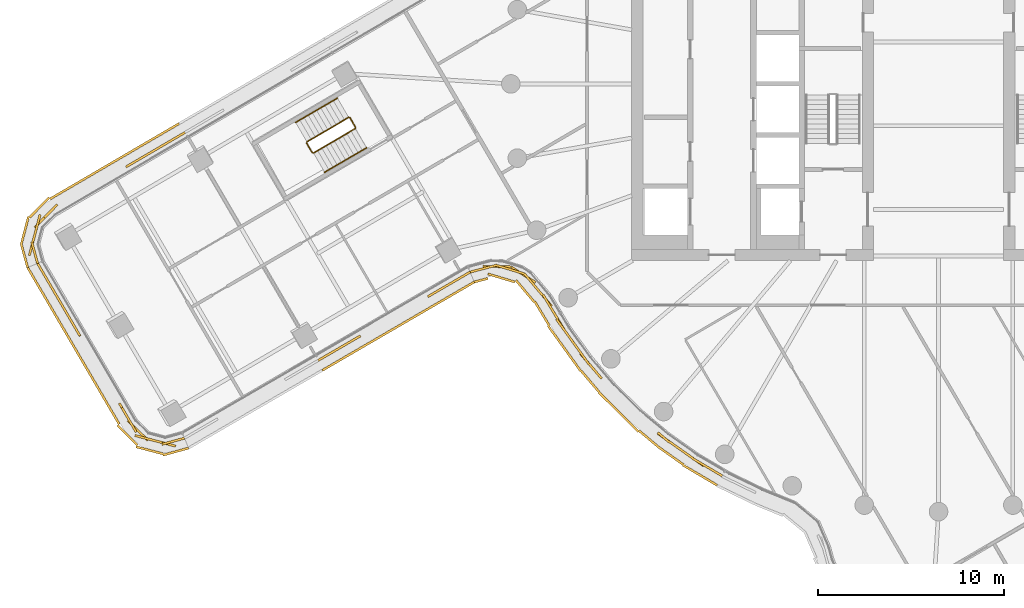
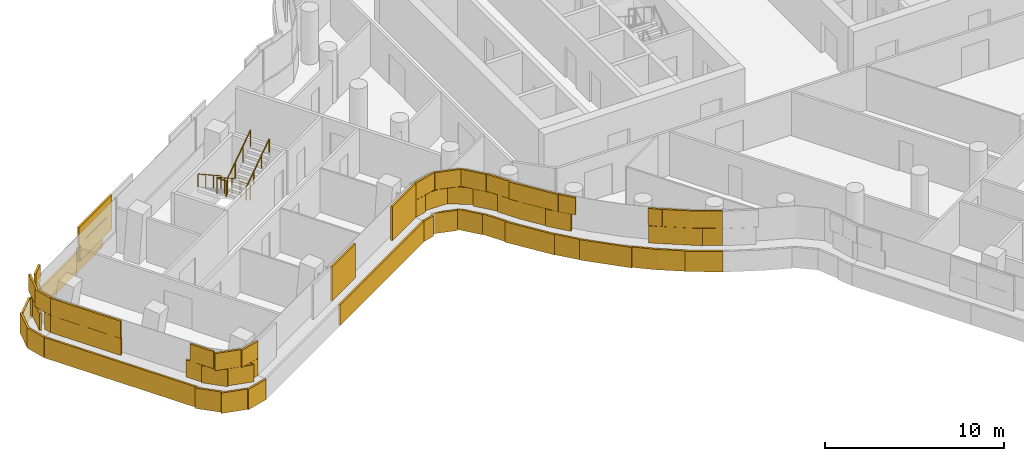
# One storey, part 29 of 35: 6 railings, 4 coverings.
"""IFC4 building model written with IfcOpenShell, lengths in metres."""

from ifc_helpers import new_model, si_unit, direction, frame, origin, origin_2d, place, context, subcontext, project, spatial, rectangle, circle, extrude, material, layer, layer_set, type_object, element, save


model = new_model("IFC4")

# Units and contexts
model_context = context("Model", 3, precision=1e-05, world=origin(), true_north=direction((0.0, 1.0)))
body_context = subcontext(model_context, "Body", "Model", "MODEL_VIEW")
ifc_project = project(units=[si_unit("LENGTHUNIT", "METRE"), si_unit("AREAUNIT", "SQUARE_METRE"), si_unit("VOLUMEUNIT", "CUBIC_METRE"), si_unit("PLANEANGLEUNIT", "RADIAN"), si_unit("MASSUNIT", "GRAM", prefix="KILO")], contexts=[model_context])

# Site, building, storey
site_placement = place(None, origin())
site = spatial("IfcSite", under=ifc_project, at=site_placement, CompositionType="ELEMENT")
building_placement = place(site_placement, origin())
building = spatial("IfcBuilding", under=site, at=building_placement, Name="Tamarind Cross Interchange Tower", CompositionType="ELEMENT")
storey_placement = place(building_placement, frame((0.0, 0.0, 144.25)))
storey = spatial("IfcBuildingStorey", under=building, at=storey_placement, Name="L35", CompositionType="ELEMENT", Elevation=144.25)

# Railings
ifc_material_1 = material(Name="Stair guard")
railing_type_1 = type_object("IfcRailingType", Name="Stair guard", PredefinedType="GUARDRAIL", material=ifc_material_1)
railing_1_placement = place(storey_placement, frame((-31.7197265625, -1.799560546875, 0.17041015625)))
element("IfcRailing", 1, at=railing_1_placement, inside=storey, type_object=railing_type_1, Name="L35 ST5 stair guard 1", PredefinedType="GUARDRAIL", context=body_context, shape_type="SweptSolid", body=[
    extrude(circle(Radius=0.02392578125, at=origin_2d()), frame((0.0, 0.0, 1.076171875), z_axis=(-0.722058741879, -0.421927310507, 0.548277774421), x_axis=(0.504518932267, -0.863400629479, 0.0)), (0.0, 0.0, 1.0), 3.10888671875),
    extrude(circle(Radius=0.02099609375, at=origin_2d()), origin(), (0.0, 0.0, 1.0), 1.052001953125),
    extrude(circle(Radius=0.02099609375, at=origin_2d()), frame((-0.748291015625, -0.437255859375, 0.568115234375)), (0.0, 0.0, 1.0), 1.052001953125),
    extrude(circle(Radius=0.02099609375, at=origin_2d()), frame((-1.49658203125, -0.87451171875, 1.136474609375)), (0.0, 0.0, 1.0), 1.052001953125),
    extrude(circle(Radius=0.02099609375, at=origin_2d()), frame((-2.244873046875, -1.311767578125, 1.70458984375)), (0.0, 0.0, 1.0), 1.052001953125),
])
railing_2_placement = place(storey_placement, frame((-33.982666015625, -3.1796875, 1.875)))
element("IfcRailing", 2, at=railing_2_placement, inside=storey, type_object=railing_type_1, Name="L35 ST5 stair guard 2", PredefinedType="GUARDRAIL", context=body_context, shape_type="SweptSolid", body=[
    extrude(circle(Radius=0.02392578125, at=origin_2d()), frame((0.0, 0.0, 1.076171875), z_axis=(0.504528630285, -0.863394962472, 0.0), x_axis=(0.863394962472, 0.504528630285, 0.0)), (0.0, 0.0, 1.0), 0.60009765625),
    extrude(circle(Radius=0.02099609375, at=origin_2d()), origin(), (0.0, 0.0, 1.0), 1.052001953125),
    extrude(circle(Radius=0.02099609375, at=origin_2d()), frame((0.302734375, -0.51806640625, 0.0)), (0.0, 0.0, 1.0), 1.052001953125),
])
railing_3_placement = place(storey_placement, frame((-33.611572265625, -3.7158203125, 2.04541015625)))
element("IfcRailing", 3, at=railing_3_placement, inside=storey, type_object=railing_type_1, Name="L35 ST5 stair guard 3", PredefinedType="GUARDRAIL", context=body_context, shape_type="SweptSolid", body=[
    extrude(circle(Radius=0.02392578125, at=origin_2d()), frame((0.0, 0.0, 1.076171875), z_axis=(0.722058741879, 0.421927310507, 0.548277774421), x_axis=(-0.504518932267, 0.863400629479, 0.0)), (0.0, 0.0, 1.0), 3.10888671875),
    extrude(circle(Radius=0.02099609375, at=origin_2d()), origin(), (0.0, 0.0, 1.0), 1.052001953125),
    extrude(circle(Radius=0.02099609375, at=origin_2d()), frame((0.748291015625, 0.437255859375, 0.568115234375)), (0.0, 0.0, 1.0), 1.052001953125),
    extrude(circle(Radius=0.02099609375, at=origin_2d()), frame((1.49658203125, 0.87451171875, 1.136474609375)), (0.0, 0.0, 1.0), 1.052001953125),
    extrude(circle(Radius=0.02099609375, at=origin_2d()), frame((2.244873046875, 1.311767578125, 1.70458984375)), (0.0, 0.0, 1.0), 1.052001953125),
])
railing_4_placement = place(storey_placement, frame((-31.6513671875, -1.817626953125, 0.0)))
element("IfcRailing", 4, at=railing_4_placement, inside=storey, type_object=railing_type_1, Name="L35 ST5 stair guard 4", PredefinedType="GUARDRAIL", context=body_context, shape_type="SweptSolid", body=[
    extrude(circle(Radius=0.02392578125, at=origin_2d()), frame((0.0, 0.0, 1.076171875), z_axis=(0.504528630285, -0.863394962472, 0.0), x_axis=(0.863394962472, 0.504528630285, 0.0)), (0.0, 0.0, 1.0), 0.60009765625),
    extrude(circle(Radius=0.02099609375, at=origin_2d()), origin(), (0.0, 0.0, 1.0), 1.052001953125),
    extrude(circle(Radius=0.02099609375, at=origin_2d()), frame((0.302734375, -0.51806640625, 0.0)), (0.0, 0.0, 1.0), 1.052001953125),
])
ifc_material_2 = material(Name="Stair handrail")
railing_type_2 = type_object("IfcRailingType", Name="Stair handrail", PredefinedType="HANDRAIL", material=ifc_material_2)
railing_5_placement = place(storey_placement, frame((-32.3251953125, -0.763427734375, 0.17041015625)))
element("IfcRailing", 5, at=railing_5_placement, inside=storey, type_object=railing_type_2, Name="L35 ST5 stair handrail 1", PredefinedType="HANDRAIL", context=body_context, shape_type="SweptSolid", body=[
    extrude(circle(Radius=0.02392578125, at=origin_2d()), frame((0.0, 0.0, 0.8759765625), z_axis=(-0.722058741879, -0.421927310507, 0.548277774421), x_axis=(0.504518932267, -0.863400629479, 0.0)), (0.0, 0.0, 1.0), 3.10888671875),
    extrude(circle(Radius=0.02099609375, at=origin_2d()), origin(), (0.0, 0.0, 1.0), 0.851806640625),
    extrude(circle(Radius=0.02099609375, at=origin_2d()), frame((-0.748291015625, -0.437255859375, 0.568115234375)), (0.0, 0.0, 1.0), 0.851806640625),
    extrude(circle(Radius=0.02099609375, at=origin_2d()), frame((-1.49658203125, -0.87451171875, 1.136474609375)), (0.0, 0.0, 1.0), 0.851806640625),
    extrude(circle(Radius=0.02099609375, at=origin_2d()), frame((-2.244873046875, -1.311767578125, 1.70458984375)), (0.0, 0.0, 1.0), 0.851806640625),
])
railing_6_placement = place(storey_placement, frame((-33.006103515625, -4.751708984375, 2.04541015625)))
element("IfcRailing", 6, at=railing_6_placement, inside=storey, type_object=railing_type_2, Name="L35 ST5 stair handrail 2", PredefinedType="HANDRAIL", context=body_context, shape_type="SweptSolid", body=[
    extrude(circle(Radius=0.02392578125, at=origin_2d()), frame((0.0, 0.0, 0.8759765625), z_axis=(0.722058741879, 0.421927310507, 0.548277774421), x_axis=(-0.504518932267, 0.863400629479, 0.0)), (0.0, 0.0, 1.0), 3.10888671875),
    extrude(circle(Radius=0.02099609375, at=origin_2d()), origin(), (0.0, 0.0, 1.0), 0.851806640625),
    extrude(circle(Radius=0.02099609375, at=origin_2d()), frame((0.748291015625, 0.437255859375, 0.568115234375)), (0.0, 0.0, 1.0), 0.851806640625),
    extrude(circle(Radius=0.02099609375, at=origin_2d()), frame((1.49658203125, 0.87451171875, 1.136474609375)), (0.0, 0.0, 1.0), 0.851806640625),
    extrude(circle(Radius=0.02099609375, at=origin_2d()), frame((2.244873046875, 1.311767578125, 1.70458984375)), (0.0, 0.0, 1.0), 0.851806640625),
])

# Coverings
ifc_material_3 = material(Name="Terracotta", Category="masonry")
ifc_layer = layer(ifc_material_3, 0.1201171875)
ifc_layer_set = layer_set([ifc_layer], Name="Terracotta")
covering_type = type_object("IfcCoveringType", Name="Terracotta baguette screen unit", PredefinedType="MOLDING", material=ifc_layer_set)
covering_1_placement = place(storey_placement, origin())
element("IfcCovering", 7, at=covering_1_placement, inside=storey, type_object=covering_type, Name="SCR-L35-00-00", PredefinedType="MOLDING", context=body_context, shape_type="SweptSolid", body=[
    extrude(rectangle(XDim=0.760009765625, YDim=0.1201171875, at=origin_2d()), frame((-48.25927734375, -9.973876953125, 1.404052734375), z_axis=(0.0, 0.0, 1.0), x_axis=(0.50451556849, -0.863402595057, 0.0)), (0.0, 0.0, 1.0), 1.1669921875),
    extrude(rectangle(XDim=1.52001953125, YDim=0.1201171875, at=origin_2d()), frame((-47.691650390625, -10.945068359375, 1.404052734375), z_axis=(0.0, 0.0, 1.0), x_axis=(0.50451556849, -0.863402595057, 0.0)), (0.0, 0.0, 1.0), 1.1669921875),
    extrude(rectangle(XDim=1.52001953125, YDim=0.1201171875, at=origin_2d()), frame((-46.93505859375, -12.240234375, 1.404052734375), z_axis=(0.0, 0.0, 1.0), x_axis=(0.50451556849, -0.863402595057, 0.0)), (0.0, 0.0, 1.0), 1.1669921875),
    extrude(rectangle(XDim=0.784912109375, YDim=0.1201171875, at=origin_2d()), frame((-46.361083984375, -13.22216796875, 1.404052734375), z_axis=(0.0, 0.0, 1.0), x_axis=(0.50451556849, -0.863402595057, 0.0)), (0.0, 0.0, 1.0), 1.1669921875),
    extrude(rectangle(XDim=1.03515625, YDim=0.1201171875, at=origin_2d()), frame((-43.7880859375, -17.62548828125, 1.404052734375), z_axis=(0.0, 0.0, 1.0), x_axis=(0.50451556849, -0.863402595057, 0.0)), (0.0, 0.0, 1.0), 1.1669921875),
    extrude(rectangle(XDim=1.52001953125, YDim=0.1201171875, at=origin_2d()), frame((-43.052978515625, -18.6396484375, 1.404052734375), z_axis=(0.0, 0.0, 1.0), x_axis=(0.710789652561, -0.703404627375, 0.0)), (0.0, 0.0, 1.0), 1.1669921875),
    extrude(rectangle(XDim=1.52001953125, YDim=0.1201171875, at=origin_2d()), frame((-41.754638671875, -19.28759765625, 1.404052734375), z_axis=(0.0, 0.0, 1.0), x_axis=(0.967264209552, -0.253771450166, 0.0)), (0.0, 0.0, 1.0), 1.1669921875),
    extrude(rectangle(XDim=0.509521484375, YDim=0.1201171875, at=origin_2d()), frame((-40.789794921875, -19.1162109375, 1.404052734375), z_axis=(0.0, 0.0, 1.0), x_axis=(0.964561102727, 0.263859582177, 0.0)), (0.0, 0.0, 1.0), 1.1669921875),
    extrude(rectangle(XDim=1.510009765625, YDim=0.1201171875, at=origin_2d()), frame((-48.070068359375, -10.297607421875, 2.5791015625), z_axis=(0.0, 0.0, 1.0), x_axis=(0.50451556849, -0.863402595057, 0.0)), (0.0, 0.0, 1.0), 1.1669921875),
    extrude(rectangle(XDim=1.52001953125, YDim=0.1201171875, at=origin_2d()), frame((-47.3134765625, -11.5927734375, 2.5791015625), z_axis=(0.0, 0.0, 1.0), x_axis=(0.50451556849, -0.863402595057, 0.0)), (0.0, 0.0, 1.0), 1.1669921875),
    extrude(rectangle(XDim=1.52001953125, YDim=0.1201171875, at=origin_2d()), frame((-46.556640625, -12.8876953125, 2.5791015625), z_axis=(0.0, 0.0, 1.0), x_axis=(0.50451556849, -0.863402595057, 0.0)), (0.0, 0.0, 1.0), 1.1669921875),
    extrude(rectangle(XDim=1.52001953125, YDim=0.1201171875, at=origin_2d()), frame((-43.529541015625, -18.068115234375, 2.5791015625), z_axis=(0.0, 0.0, 1.0), x_axis=(0.50451556849, -0.863402595057, 0.0)), (0.0, 0.0, 1.0), 1.1669921875),
    extrude(rectangle(XDim=1.52001953125, YDim=0.1201171875, at=origin_2d()), frame((-42.47998046875, -19.097412109375, 2.5791015625), z_axis=(0.0, 0.0, 1.0), x_axis=(0.967264209552, -0.253771450166, 0.0)), (0.0, 0.0, 1.0), 1.1669921875),
    extrude(rectangle(XDim=1.259521484375, YDim=0.1201171875, at=origin_2d()), frame((-41.1513671875, -19.215087890625, 2.5791015625), z_axis=(0.0, 0.0, 1.0), x_axis=(0.964561102727, 0.263859582177, 0.0)), (0.0, 0.0, 1.0), 1.1669921875),
    extrude(rectangle(XDim=0.760009765625, YDim=0.1201171875, at=origin_2d()), frame((-48.79052734375, -10.202392578125, 0.00390625), z_axis=(0.0, 0.0, 1.0), x_axis=(0.50451556849, -0.863402595057, 0.0)), (0.0, 0.0, 1.0), 1.39208984375),
    extrude(rectangle(XDim=1.52001953125, YDim=0.1201171875, at=origin_2d()), frame((-48.2255859375, -11.16943359375, 0.00390625), z_axis=(0.0, 0.0, 1.0), x_axis=(0.50451556849, -0.863402595057, 0.0)), (0.0, 0.0, 1.0), 1.39208984375),
    extrude(rectangle(XDim=1.52001953125, YDim=0.1201171875, at=origin_2d()), frame((-47.46875, -12.464599609375, 0.00390625), z_axis=(0.0, 0.0, 1.0), x_axis=(0.50451556849, -0.863402595057, 0.0)), (0.0, 0.0, 1.0), 1.39208984375),
    extrude(rectangle(XDim=1.52001953125, YDim=0.1201171875, at=origin_2d()), frame((-46.7119140625, -13.759765625, 0.00390625), z_axis=(0.0, 0.0, 1.0), x_axis=(0.50451556849, -0.863402595057, 0.0)), (0.0, 0.0, 1.0), 1.39208984375),
    extrude(rectangle(XDim=1.52001953125, YDim=0.1201171875, at=origin_2d()), frame((-45.955078125, -15.0546875, 0.00390625), z_axis=(0.0, 0.0, 1.0), x_axis=(0.50451556849, -0.863402595057, 0.0)), (0.0, 0.0, 1.0), 1.39208984375),
    extrude(rectangle(XDim=1.52001953125, YDim=0.1201171875, at=origin_2d()), frame((-45.198486328125, -16.349853515625, 0.00390625), z_axis=(0.0, 0.0, 1.0), x_axis=(0.50451556849, -0.863402595057, 0.0)), (0.0, 0.0, 1.0), 1.39208984375),
    extrude(rectangle(XDim=1.52001953125, YDim=0.1201171875, at=origin_2d()), frame((-44.441650390625, -17.64501953125, 0.00390625), z_axis=(0.0, 0.0, 1.0), x_axis=(0.50451556849, -0.863402595057, 0.0)), (0.0, 0.0, 1.0), 1.39208984375),
    extrude(rectangle(XDim=1.52001953125, YDim=0.1201171875, at=origin_2d()), frame((-43.61767578125, -18.887939453125, 0.00390625), z_axis=(0.0, 0.0, 1.0), x_axis=(0.710789652561, -0.703404627375, 0.0)), (0.0, 0.0, 1.0), 1.39208984375),
    extrude(rectangle(XDim=1.52001953125, YDim=0.1201171875, at=origin_2d()), frame((-42.4169921875, -19.707275390625, 0.00390625), z_axis=(0.0, 0.0, 1.0), x_axis=(0.967264209552, -0.253771450166, 0.0)), (0.0, 0.0, 1.0), 1.39208984375),
    extrude(rectangle(XDim=1.426513671875, YDim=0.1201171875, at=origin_2d()), frame((-41.012939453125, -19.7724609375, 0.00390625), z_axis=(0.0, 0.0, 1.0), x_axis=(0.964561102727, 0.263859582177, 0.0)), (0.0, 0.0, 1.0), 1.39208984375),
])
covering_2_placement = place(storey_placement, origin())
element("IfcCovering", 8, at=covering_2_placement, inside=storey, type_object=covering_type, Name="SCR-L35-01-01", PredefinedType="MOLDING", context=body_context, shape_type="SweptSolid", body=[
    extrude(rectangle(XDim=1.446044921875, YDim=0.1201171875, at=origin_2d()), frame((-32.740966796875, -14.509765625, 1.404052734375), z_axis=(0.0, 0.0, 1.0), x_axis=(0.864456031525, 0.502708433946, 0.0)), (0.0, 0.0, 1.0), 1.1669921875),
    extrude(rectangle(XDim=1.201416015625, YDim=0.1201171875, at=origin_2d()), frame((-31.60546875, -13.849365234375, 1.404052734375), z_axis=(0.0, 0.0, 1.0), x_axis=(0.864456031525, 0.502708433946, 0.0)), (0.0, 0.0, 1.0), 1.1669921875),
    extrude(rectangle(XDim=0.61865234375, YDim=0.1201171875, at=origin_2d()), frame((-27.19677734375, -11.28564453125, 1.404052734375), z_axis=(0.0, 0.0, 1.0), x_axis=(0.864456031525, 0.502708433946, 0.0)), (0.0, 0.0, 1.0), 1.1669921875),
    extrude(rectangle(XDim=1.52001953125, YDim=0.1201171875, at=origin_2d()), frame((-26.28515625, -10.755615234375, 1.404052734375), z_axis=(0.0, 0.0, 1.0), x_axis=(0.864456031525, 0.502708433946, 0.0)), (0.0, 0.0, 1.0), 1.1669921875),
    extrude(rectangle(XDim=0.528564453125, YDim=0.1201171875, at=origin_2d()), frame((-25.41259765625, -10.248291015625, 1.404052734375), z_axis=(0.0, 0.0, 1.0), x_axis=(0.864456031525, 0.502708433946, 0.0)), (0.0, 0.0, 1.0), 1.1669921875),
    extrude(rectangle(XDim=0.696044921875, YDim=0.1201171875, at=origin_2d()), frame((-33.065185546875, -14.698486328125, 2.5791015625), z_axis=(0.0, 0.0, 1.0), x_axis=(0.864456031525, 0.502708433946, 0.0)), (0.0, 0.0, 1.0), 1.1669921875),
    extrude(rectangle(XDim=1.52001953125, YDim=0.1201171875, at=origin_2d()), frame((-32.120361328125, -14.14892578125, 2.5791015625), z_axis=(0.0, 0.0, 1.0), x_axis=(0.864456031525, 0.502708433946, 0.0)), (0.0, 0.0, 1.0), 1.1669921875),
    extrude(rectangle(XDim=0.451416015625, YDim=0.1201171875, at=origin_2d()), frame((-31.28125, -13.660888671875, 2.5791015625), z_axis=(0.0, 0.0, 1.0), x_axis=(0.864456031525, 0.502708433946, 0.0)), (0.0, 0.0, 1.0), 1.1669921875),
    extrude(rectangle(XDim=1.36865234375, YDim=0.1201171875, at=origin_2d()), frame((-26.87255859375, -11.09716796875, 2.5791015625), z_axis=(0.0, 0.0, 1.0), x_axis=(0.864456031525, 0.502708433946, 0.0)), (0.0, 0.0, 1.0), 1.1669921875),
    extrude(rectangle(XDim=1.278564453125, YDim=0.1201171875, at=origin_2d()), frame((-25.73681640625, -10.436767578125, 2.5791015625), z_axis=(0.0, 0.0, 1.0), x_axis=(0.864456031525, 0.502708433946, 0.0)), (0.0, 0.0, 1.0), 1.1669921875),
    extrude(rectangle(XDim=1.44775390625, YDim=0.1201171875, at=origin_2d()), frame((-32.513671875, -15.041748046875, 0.00390625), z_axis=(0.0, 0.0, 1.0), x_axis=(0.864456031525, 0.502708433946, 0.0)), (0.0, 0.0, 1.0), 1.39208984375),
    extrude(rectangle(XDim=1.52001953125, YDim=0.1201171875, at=origin_2d()), frame((-31.248291015625, -14.3056640625, 0.00390625), z_axis=(0.0, 0.0, 1.0), x_axis=(0.864456031525, 0.502708433946, 0.0)), (0.0, 0.0, 1.0), 1.39208984375),
    extrude(rectangle(XDim=1.52001953125, YDim=0.1201171875, at=origin_2d()), frame((-29.951416015625, -13.5517578125, 0.00390625), z_axis=(0.0, 0.0, 1.0), x_axis=(0.864456031525, 0.502708433946, 0.0)), (0.0, 0.0, 1.0), 1.39208984375),
    extrude(rectangle(XDim=1.52001953125, YDim=0.1201171875, at=origin_2d()), frame((-28.65478515625, -12.797607421875, 0.00390625), z_axis=(0.0, 0.0, 1.0), x_axis=(0.864456031525, 0.502708433946, 0.0)), (0.0, 0.0, 1.0), 1.39208984375),
    extrude(rectangle(XDim=1.52001953125, YDim=0.1201171875, at=origin_2d()), frame((-27.358154296875, -12.043701171875, 0.00390625), z_axis=(0.0, 0.0, 1.0), x_axis=(0.864456031525, 0.502708433946, 0.0)), (0.0, 0.0, 1.0), 1.39208984375),
    extrude(rectangle(XDim=1.52001953125, YDim=0.1201171875, at=origin_2d()), frame((-26.0615234375, -11.28955078125, 0.00390625), z_axis=(0.0, 0.0, 1.0), x_axis=(0.864456031525, 0.502708433946, 0.0)), (0.0, 0.0, 1.0), 1.39208984375),
    extrude(rectangle(XDim=0.525146484375, YDim=0.1201171875, at=origin_2d()), frame((-25.19482421875, -10.78564453125, 0.00390625), z_axis=(0.0, 0.0, 1.0), x_axis=(0.864456031525, 0.502708433946, 0.0)), (0.0, 0.0, 1.0), 1.39208984375),
])
covering_3_placement = place(storey_placement, origin())
element("IfcCovering", 9, at=covering_3_placement, inside=storey, type_object=covering_type, Name="SCR-L35-02-00", PredefinedType="MOLDING", context=body_context, shape_type="SweptSolid", body=[
    extrude(rectangle(XDim=0.760009765625, YDim=0.1201171875, at=origin_2d()), frame((-24.82568359375, -10.0234375, 1.404052734375), z_axis=(0.0, 0.0, 1.0), x_axis=(0.967746825064, 0.251924755788, 0.0)), (0.0, 0.0, 1.0), 1.1669921875),
    extrude(rectangle(XDim=1.52001953125, YDim=0.1201171875, at=origin_2d()), frame((-23.726806640625, -9.8251953125, 1.404052734375), z_axis=(0.0, 0.0, 1.0), x_axis=(0.999810202452, -0.019482275841, 0.0)), (0.0, 0.0, 1.0), 1.1669921875),
    extrude(rectangle(XDim=1.52001953125, YDim=0.1201171875, at=origin_2d()), frame((-22.3125, -10.271728515625, 1.404052734375), z_axis=(0.0, 0.0, 1.0), x_axis=(0.843092678622, -0.537768291418, 0.0)), (0.0, 0.0, 1.0), 1.1669921875),
    extrude(rectangle(XDim=1.52001953125, YDim=0.1201171875, at=origin_2d()), frame((-21.298583984375, -11.3642578125, 1.404052734375), z_axis=(0.0, 0.0, 1.0), x_axis=(0.643207721131, -0.765691731363, 0.0)), (0.0, 0.0, 1.0), 1.1669921875),
    extrude(rectangle(XDim=1.52001953125, YDim=0.1201171875, at=origin_2d()), frame((-20.489990234375, -12.624267578125, 1.404052734375), z_axis=(0.0, 0.0, 1.0), x_axis=(0.515602205046, -0.856828084362, 0.0)), (0.0, 0.0, 1.0), 1.1669921875),
    extrude(rectangle(XDim=1.52001953125, YDim=0.1201171875, at=origin_2d()), frame((-19.664306640625, -13.875, 1.404052734375), z_axis=(0.0, 0.0, 1.0), x_axis=(0.584573890505, -0.811340475102, 0.0)), (0.0, 0.0, 1.0), 1.1669921875),
    extrude(rectangle(XDim=1.52001953125, YDim=0.1201171875, at=origin_2d()), frame((-18.77001953125, -15.078369140625, 1.404052734375), z_axis=(0.0, 0.0, 1.0), x_axis=(0.64957723968, -0.760295606781, 0.0)), (0.0, 0.0, 1.0), 1.1669921875),
    extrude(rectangle(XDim=1.52001953125, YDim=0.1201171875, at=origin_2d()), frame((-14.471435546875, -19.240966796875, 1.404052734375), z_axis=(0.0, 0.0, 1.0), x_axis=(0.816341886298, -0.577568978284, 0.0)), (0.0, 0.0, 1.0), 1.1669921875),
    extrude(rectangle(XDim=1.52001953125, YDim=0.1201171875, at=origin_2d()), frame((-13.246826171875, -20.107421875, 1.404052734375), z_axis=(0.0, 0.0, 1.0), x_axis=(0.816341886298, -0.577568978284, 0.0)), (0.0, 0.0, 1.0), 1.1669921875),
    extrude(rectangle(XDim=1.143310546875, YDim=0.1201171875, at=origin_2d()), frame((-12.121826171875, -20.7900390625, 1.404052734375), z_axis=(0.0, 0.0, 1.0), x_axis=(0.861248933065, -0.508183308752, 0.0)), (0.0, 0.0, 1.0), 1.1669921875),
    extrude(rectangle(XDim=1.510009765625, YDim=0.1201171875, at=origin_2d()), frame((-24.462646484375, -9.928955078125, 2.5791015625), z_axis=(0.0, 0.0, 1.0), x_axis=(0.967746825064, 0.251924755788, 0.0)), (0.0, 0.0, 1.0), 1.1669921875),
    extrude(rectangle(XDim=1.52001953125, YDim=0.1201171875, at=origin_2d()), frame((-23.000732421875, -9.990234375, 2.5791015625), z_axis=(0.0, 0.0, 1.0), x_axis=(0.957197918797, -0.28943417948, 0.0)), (0.0, 0.0, 1.0), 1.1669921875),
    extrude(rectangle(XDim=1.52001953125, YDim=0.1201171875, at=origin_2d()), frame((-21.781005859375, -10.7900390625, 2.5791015625), z_axis=(0.0, 0.0, 1.0), x_axis=(0.643207721131, -0.765691731363, 0.0)), (0.0, 0.0, 1.0), 1.1669921875),
    extrude(rectangle(XDim=1.52001953125, YDim=0.1201171875, at=origin_2d()), frame((-20.876708984375, -11.981689453125, 2.5791015625), z_axis=(0.0, 0.0, 1.0), x_axis=(0.515602205046, -0.856828084362, 0.0)), (0.0, 0.0, 1.0), 1.1669921875),
    extrude(rectangle(XDim=1.52001953125, YDim=0.1201171875, at=origin_2d()), frame((-20.102783203125, -13.2666015625, 2.5791015625), z_axis=(0.0, 0.0, 1.0), x_axis=(0.584573890505, -0.811340475102, 0.0)), (0.0, 0.0, 1.0), 1.1669921875),
    extrude(rectangle(XDim=1.52001953125, YDim=0.1201171875, at=origin_2d()), frame((-19.225830078125, -14.483642578125, 2.5791015625), z_axis=(0.0, 0.0, 1.0), x_axis=(0.584573890505, -0.811340475102, 0.0)), (0.0, 0.0, 1.0), 1.1669921875),
    extrude(rectangle(XDim=1.01708984375, YDim=0.1201171875, at=origin_2d()), frame((-18.443115234375, -15.46142578125, 2.5791015625), z_axis=(0.0, 0.0, 1.0), x_axis=(0.64957723968, -0.760295606781, 0.0)), (0.0, 0.0, 1.0), 1.1669921875),
    extrude(rectangle(XDim=0.802978515625, YDim=0.1201171875, at=origin_2d()), frame((-14.7900390625, -19.00537109375, 2.5791015625), z_axis=(0.0, 0.0, 1.0), x_axis=(0.765858396687, -0.643009266048, 0.0)), (0.0, 0.0, 1.0), 1.1669921875),
    extrude(rectangle(XDim=1.52001953125, YDim=0.1201171875, at=origin_2d()), frame((-13.859130859375, -19.674072265625, 2.5791015625), z_axis=(0.0, 0.0, 1.0), x_axis=(0.816341886298, -0.577568978284, 0.0)), (0.0, 0.0, 1.0), 1.1669921875),
    extrude(rectangle(XDim=1.52001953125, YDim=0.1201171875, at=origin_2d()), frame((-12.60986328125, -20.501953125, 2.5791015625), z_axis=(0.0, 0.0, 1.0), x_axis=(0.861248933065, -0.508183308752, 0.0)), (0.0, 0.0, 1.0), 1.1669921875),
    extrude(rectangle(XDim=0.393310546875, YDim=0.1201171875, at=origin_2d()), frame((-11.798828125, -20.980712890625, 2.5791015625), z_axis=(0.0, 0.0, 1.0), x_axis=(0.861248933065, -0.508183308752, 0.0)), (0.0, 0.0, 1.0), 1.1669921875),
    extrude(rectangle(XDim=0.760009765625, YDim=0.1201171875, at=origin_2d()), frame((-24.60009765625, -10.557861328125, 0.00390625), z_axis=(0.0, 0.0, 1.0), x_axis=(0.967746825064, 0.251924755788, 0.0)), (0.0, 0.0, 1.0), 1.39208984375),
    extrude(rectangle(XDim=1.52001953125, YDim=0.1201171875, at=origin_2d()), frame((-23.50634765625, -10.436767578125, 0.00390625), z_axis=(0.0, 0.0, 1.0), x_axis=(0.957197918797, -0.28943417948, 0.0)), (0.0, 0.0, 1.0), 1.39208984375),
    extrude(rectangle(XDim=1.52001953125, YDim=0.1201171875, at=origin_2d()), frame((-22.233642578125, -11.1435546875, 0.00390625), z_axis=(0.0, 0.0, 1.0), x_axis=(0.643207721131, -0.765691731363, 0.0)), (0.0, 0.0, 1.0), 1.39208984375),
    extrude(rectangle(XDim=1.52001953125, YDim=0.1201171875, at=origin_2d()), frame((-21.33251953125, -12.337646484375, 0.00390625), z_axis=(0.0, 0.0, 1.0), x_axis=(0.515602205046, -0.856828084362, 0.0)), (0.0, 0.0, 1.0), 1.39208984375),
    extrude(rectangle(XDim=1.52001953125, YDim=0.1201171875, at=origin_2d()), frame((-20.55517578125, -13.620361328125, 0.00390625), z_axis=(0.0, 0.0, 1.0), x_axis=(0.584573890505, -0.811340475102, 0.0)), (0.0, 0.0, 1.0), 1.39208984375),
    extrude(rectangle(XDim=1.52001953125, YDim=0.1201171875, at=origin_2d()), frame((-19.678466796875, -14.83740234375, 0.00390625), z_axis=(0.0, 0.0, 1.0), x_axis=(0.584573890505, -0.811340475102, 0.0)), (0.0, 0.0, 1.0), 1.39208984375),
    extrude(rectangle(XDim=1.52001953125, YDim=0.1201171875, at=origin_2d()), frame((-18.735595703125, -16.00244140625, 0.00390625), z_axis=(0.0, 0.0, 1.0), x_axis=(0.64957723968, -0.760295606781, 0.0)), (0.0, 0.0, 1.0), 1.39208984375),
    extrude(rectangle(XDim=1.52001953125, YDim=0.1201171875, at=origin_2d()), frame((-17.732177734375, -17.1162109375, 0.00390625), z_axis=(0.0, 0.0, 1.0), x_axis=(0.710143317658, -0.704057148523, 0.0)), (0.0, 0.0, 1.0), 1.39208984375),
    extrude(rectangle(XDim=1.52001953125, YDim=0.1201171875, at=origin_2d()), frame((-16.6669921875, -18.172119140625, 0.00390625), z_axis=(0.0, 0.0, 1.0), x_axis=(0.710143317658, -0.704057148523, 0.0)), (0.0, 0.0, 1.0), 1.39208984375),
    extrude(rectangle(XDim=1.52001953125, YDim=0.1201171875, at=origin_2d()), frame((-15.521728515625, -19.140380859375, 0.00390625), z_axis=(0.0, 0.0, 1.0), x_axis=(0.765858396687, -0.643009266048, 0.0)), (0.0, 0.0, 1.0), 1.39208984375),
    extrude(rectangle(XDim=1.52001953125, YDim=0.1201171875, at=origin_2d()), frame((-14.327392578125, -20.0458984375, 0.00390625), z_axis=(0.0, 0.0, 1.0), x_axis=(0.816341886298, -0.577568978284, 0.0)), (0.0, 0.0, 1.0), 1.39208984375),
    extrude(rectangle(XDim=1.52001953125, YDim=0.1201171875, at=origin_2d()), frame((-13.086669921875, -20.88720703125, 0.00390625), z_axis=(0.0, 0.0, 1.0), x_axis=(0.861248933065, -0.508183308752, 0.0)), (0.0, 0.0, 1.0), 1.39208984375),
    extrude(rectangle(XDim=0.624755859375, YDim=0.1201171875, at=origin_2d()), frame((-12.18017578125, -21.422119140625, 0.00390625), z_axis=(0.0, 0.0, 1.0), x_axis=(0.861248933065, -0.508183308752, 0.0)), (0.0, 0.0, 1.0), 1.39208984375),
])
covering_4_placement = place(storey_placement, origin())
element("IfcCovering", 10, at=covering_4_placement, inside=storey, type_object=covering_type, Name="SCR-L35-15-02", PredefinedType="MOLDING", context=body_context, shape_type="SweptSolid", body=[
    extrude(rectangle(XDim=0.6064453125, YDim=0.1201171875, at=origin_2d()), frame((-40.776611328125, -2.760009765625, 1.404052734375), z_axis=(0.0, 0.0, 1.0), x_axis=(-0.863402595057, -0.50451556849, 0.0)), (0.0, 0.0, 1.0), 1.1669921875),
    extrude(rectangle(XDim=1.52001953125, YDim=0.1201171875, at=origin_2d()), frame((-41.681396484375, -3.288818359375, 1.404052734375), z_axis=(0.0, 0.0, 1.0), x_axis=(-0.863402595057, -0.50451556849, 0.0)), (0.0, 0.0, 1.0), 1.1669921875),
    extrude(rectangle(XDim=1.52001953125, YDim=0.1201171875, at=origin_2d()), frame((-42.9765625, -4.045654296875, 1.404052734375), z_axis=(0.0, 0.0, 1.0), x_axis=(-0.863402595057, -0.50451556849, 0.0)), (0.0, 0.0, 1.0), 1.1669921875),
    extrude(rectangle(XDim=1.52001953125, YDim=0.1201171875, at=origin_2d()), frame((-48.07275390625, -7.181396484375, 1.404052734375), z_axis=(0.0, 0.0, 1.0), x_axis=(-0.703404627375, -0.710789652561, 0.0)), (0.0, 0.0, 1.0), 1.1669921875),
    extrude(rectangle(XDim=1.52001953125, YDim=0.1201171875, at=origin_2d()), frame((-48.698486328125, -8.492431640625, 1.404052734375), z_axis=(0.0, 0.0, 1.0), x_axis=(-0.253771450166, -0.967264209552, 0.0)), (0.0, 0.0, 1.0), 1.1669921875),
    extrude(rectangle(XDim=0.459716796875, YDim=0.1201171875, at=origin_2d()), frame((-48.5078125, -9.43310546875, 1.404052734375), z_axis=(0.0, 0.0, 1.0), x_axis=(0.263859582177, -0.964561102727, 0.0)), (0.0, 0.0, 1.0), 1.1669921875),
    extrude(rectangle(XDim=1.3564453125, YDim=0.1201171875, at=origin_2d()), frame((-41.100341796875, -2.94921875, 2.5791015625), z_axis=(0.0, 0.0, 1.0), x_axis=(-0.863402595057, -0.50451556849, 0.0)), (0.0, 0.0, 1.0), 1.1669921875),
    extrude(rectangle(XDim=1.52001953125, YDim=0.1201171875, at=origin_2d()), frame((-42.3291015625, -3.667236328125, 2.5791015625), z_axis=(0.0, 0.0, 1.0), x_axis=(-0.863402595057, -0.50451556849, 0.0)), (0.0, 0.0, 1.0), 1.1669921875),
    extrude(rectangle(XDim=0.836669921875, YDim=0.1201171875, at=origin_2d()), frame((-43.33349609375, -4.254150390625, 2.5791015625), z_axis=(0.0, 0.0, 1.0), x_axis=(-0.863402595057, -0.50451556849, 0.0)), (0.0, 0.0, 1.0), 1.1669921875),
    extrude(rectangle(XDim=0.9833984375, YDim=0.1201171875, at=origin_2d()), frame((-47.73046875, -6.83544921875, 2.5791015625), z_axis=(0.0, 0.0, 1.0), x_axis=(-0.703404627375, -0.710789652561, 0.0)), (0.0, 0.0, 1.0), 1.1669921875),
    extrude(rectangle(XDim=1.52001953125, YDim=0.1201171875, at=origin_2d()), frame((-48.50830078125, -7.766845703125, 2.5791015625), z_axis=(0.0, 0.0, 1.0), x_axis=(-0.253771450166, -0.967264209552, 0.0)), (0.0, 0.0, 1.0), 1.1669921875),
    extrude(rectangle(XDim=1.209716796875, YDim=0.1201171875, at=origin_2d()), frame((-48.606689453125, -9.0712890625, 2.5791015625), z_axis=(0.0, 0.0, 1.0), x_axis=(0.263859582177, -0.964561102727, 0.0)), (0.0, 0.0, 1.0), 1.1669921875),
    extrude(rectangle(XDim=0.531005859375, YDim=0.1201171875, at=origin_2d()), frame((-41.070556640625, -2.26708984375, 0.00390625), z_axis=(0.0, 0.0, 1.0), x_axis=(-0.863402595057, -0.50451556849, 0.0)), (0.0, 0.0, 1.0), 1.39208984375),
    extrude(rectangle(XDim=1.52001953125, YDim=0.1201171875, at=origin_2d()), frame((-41.938720703125, -2.7744140625, 0.00390625), z_axis=(0.0, 0.0, 1.0), x_axis=(-0.863402595057, -0.50451556849, 0.0)), (0.0, 0.0, 1.0), 1.39208984375),
    extrude(rectangle(XDim=1.52001953125, YDim=0.1201171875, at=origin_2d()), frame((-43.233642578125, -3.531005859375, 0.00390625), z_axis=(0.0, 0.0, 1.0), x_axis=(-0.863402595057, -0.50451556849, 0.0)), (0.0, 0.0, 1.0), 1.39208984375),
    extrude(rectangle(XDim=1.52001953125, YDim=0.1201171875, at=origin_2d()), frame((-44.52880859375, -4.287841796875, 0.00390625), z_axis=(0.0, 0.0, 1.0), x_axis=(-0.863402595057, -0.50451556849, 0.0)), (0.0, 0.0, 1.0), 1.39208984375),
    extrude(rectangle(XDim=1.52001953125, YDim=0.1201171875, at=origin_2d()), frame((-45.823974609375, -5.044677734375, 0.00390625), z_axis=(0.0, 0.0, 1.0), x_axis=(-0.863402595057, -0.50451556849, 0.0)), (0.0, 0.0, 1.0), 1.39208984375),
    extrude(rectangle(XDim=1.52001953125, YDim=0.1201171875, at=origin_2d()), frame((-47.119140625, -5.801513671875, 0.00390625), z_axis=(0.0, 0.0, 1.0), x_axis=(-0.863402595057, -0.50451556849, 0.0)), (0.0, 0.0, 1.0), 1.39208984375),
    extrude(rectangle(XDim=1.52001953125, YDim=0.1201171875, at=origin_2d()), frame((-48.34814453125, -6.643310546875, 0.00390625), z_axis=(0.0, 0.0, 1.0), x_axis=(-0.703404627375, -0.710789652561, 0.0)), (0.0, 0.0, 1.0), 1.39208984375),
    extrude(rectangle(XDim=1.52001953125, YDim=0.1201171875, at=origin_2d()), frame((-49.1279296875, -7.86669921875, 0.00390625), z_axis=(0.0, 0.0, 1.0), x_axis=(-0.253771450166, -0.967264209552, 0.0)), (0.0, 0.0, 1.0), 1.39208984375),
    extrude(rectangle(XDim=1.33935546875, YDim=0.1201171875, at=origin_2d()), frame((-49.158935546875, -9.228515625, 0.00390625), z_axis=(0.0, 0.0, 1.0), x_axis=(0.263859582177, -0.964561102727, 0.0)), (0.0, 0.0, 1.0), 1.39208984375),
])

save(model, "model.ifc")
